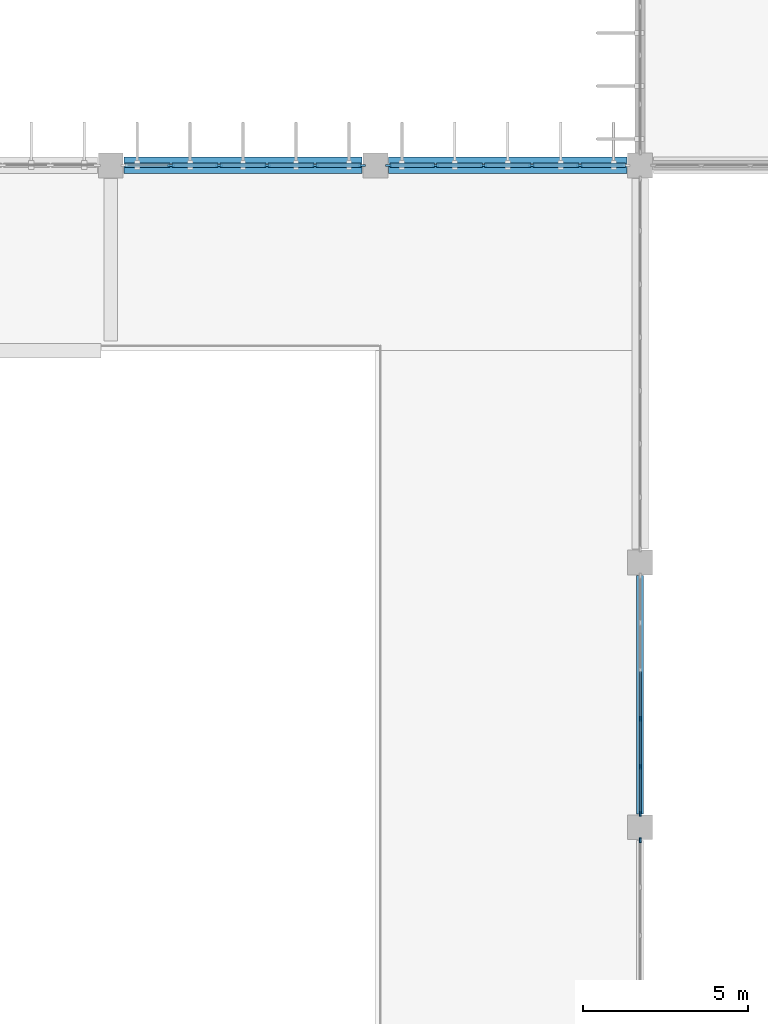
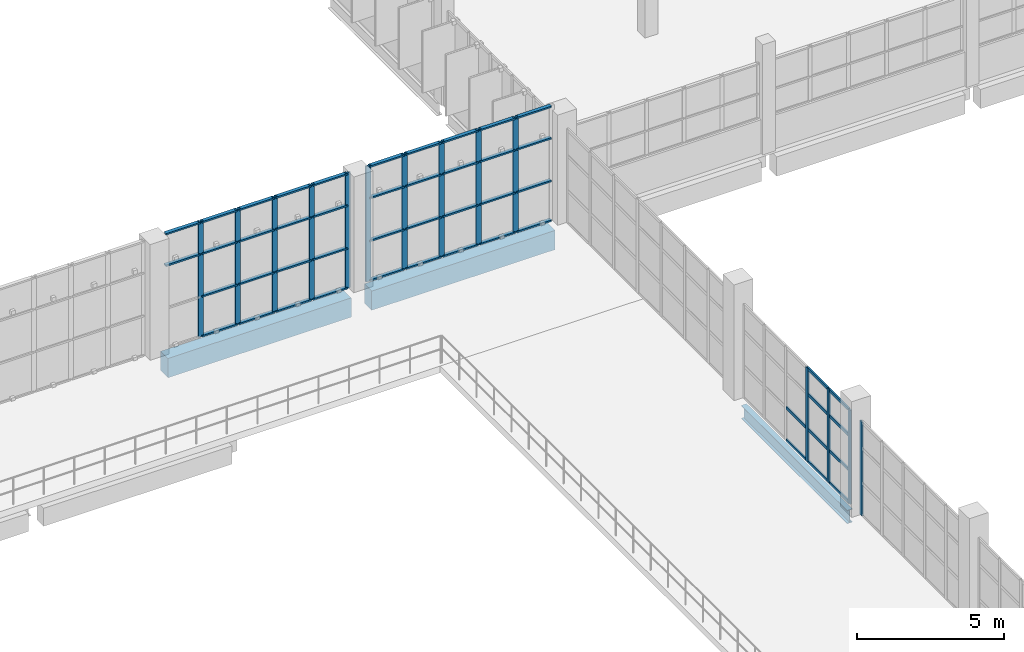
# One storey, part 30 of 93: 62 members, 3 beams, 4 elements without a shape of their own.
"""IFC4 building model written with IfcOpenShell, lengths in metres."""

from ifc_helpers import new_model, si_unit, direction, frame, origin, origin_2d, place, context, subcontext, project, spatial, rectangle, i_section, extrude, material, layer, layer_set, material_profile, profile_set, type_object, element, aggregate, save


model = new_model("IFC4")

# Units and contexts
model_context = context("Model", 3, precision=1e-05, world=origin(), true_north=direction((0.0, 1.0)))
body_context = subcontext(model_context, "Body", "Model", "MODEL_VIEW")
ifc_project = project(units=[si_unit("LENGTHUNIT", "METRE"), si_unit("AREAUNIT", "SQUARE_METRE"), si_unit("VOLUMEUNIT", "CUBIC_METRE"), si_unit("PLANEANGLEUNIT", "RADIAN"), si_unit("MASSUNIT", "GRAM", prefix="KILO")], contexts=[model_context])

# Site, building, storey
site_placement = place(None, origin())
site = spatial("IfcSite", under=ifc_project, at=site_placement, CompositionType="ELEMENT")
building_placement = place(site_placement, origin())
building = spatial("IfcBuilding", under=site, at=building_placement, Name="Drelvana Railside Aquatics Centre", CompositionType="ELEMENT")
storey_placement = place(building_placement, frame((0.0, 0.0, 5.39990234375)))
storey = spatial("IfcBuildingStorey", under=building, at=storey_placement, Name="L01", CompositionType="ELEMENT", Elevation=5.39990234375)

# Curtain wall, members
ifc_material_1 = material(Name="Bronze-anodised aluminium curtain wall", Category="aluminium")
ifc_layer_1 = layer(ifc_material_1, 0.179931640625, Name="Bronze-anodised aluminium curtain wall")
ifc_layer_set_1 = layer_set([ifc_layer_1], Name="Bronze-anodised aluminium curtain wall")
curtain_wall_type_1 = type_object("IfcCurtainWallType", Name="CW-Z2-CLER", PredefinedType="NOTDEFINED", material=ifc_layer_set_1)
curtain_wall_1_placement = place(storey_placement, origin())
curtain_wall_1 = element("IfcCurtainWall", 1, at=curtain_wall_1_placement, inside=storey, type_object=curtain_wall_type_1, Name="Curtain wall CW-02-024", PredefinedType="NOTDEFINED")
ifc_material_2 = material(Name="Bronze-anodised aluminium 6063-T6", Category="aluminium")
ifc_material_profile_1 = material_profile(ifc_material_2, rectangle(XDim=0.070068359375, YDim=0.199951171875, at=origin_2d()), Name="ALU-M 70x200")
ifc_profile_set_1 = profile_set([ifc_material_profile_1], Name="Bronze-anodised aluminium 6063-T6")
member_type_1 = type_object("IfcMemberType", Name="CW-Z2-CLER-MUL", PredefinedType="MULLION", material=ifc_profile_set_1)
member_1_placement = place(storey_placement, frame((81.8212890625, 84.0, -0.005859375), z_axis=(0.0, 0.0, 1.0), x_axis=(0.0, 1.0, 0.0)))
member_1 = element("IfcMember", 2, at=member_1_placement, type_object=member_type_1, Name="CW-02 mullion 2", PredefinedType="MULLION", context=body_context, shape_type="SweptSolid", body=[
    extrude(rectangle(XDim=0.070068359375, YDim=0.199951171875, at=origin_2d()), origin(), (0.0, 0.0, 1.0), 4.7958984375),
])
member_2_placement = place(storey_placement, frame((83.273681640625, 84.0, -0.005859375), z_axis=(0.0, 0.0, 1.0), x_axis=(0.0, 1.0, 0.0)))
member_2 = element("IfcMember", 3, at=member_2_placement, type_object=member_type_1, Name="CW-02 mullion 3", PredefinedType="MULLION", context=body_context, shape_type="SweptSolid", body=[
    extrude(rectangle(XDim=0.070068359375, YDim=0.199951171875, at=origin_2d()), origin(), (0.0, 0.0, 1.0), 4.7958984375),
])
member_3_placement = place(storey_placement, frame((84.726318359375, 84.0, -0.005859375), z_axis=(0.0, 0.0, 1.0), x_axis=(0.0, 1.0, 0.0)))
member_3 = element("IfcMember", 4, at=member_3_placement, type_object=member_type_1, Name="CW-02 mullion 4", PredefinedType="MULLION", context=body_context, shape_type="SweptSolid", body=[
    extrude(rectangle(XDim=0.070068359375, YDim=0.199951171875, at=origin_2d()), origin(), (0.0, 0.0, 1.0), 4.7958984375),
])
member_4_placement = place(storey_placement, frame((86.1787109375, 84.0, -0.005859375), z_axis=(0.0, 0.0, 1.0), x_axis=(0.0, 1.0, 0.0)))
member_4 = element("IfcMember", 5, at=member_4_placement, type_object=member_type_1, Name="CW-02 mullion 5", PredefinedType="MULLION", context=body_context, shape_type="SweptSolid", body=[
    extrude(rectangle(XDim=0.070068359375, YDim=0.199951171875, at=origin_2d()), origin(), (0.0, 0.0, 1.0), 4.7958984375),
])
member_5_placement = place(storey_placement, frame((87.595947265625, 84.0, -0.005859375), z_axis=(0.0, 0.0, 1.0), x_axis=(0.0, 1.0, 0.0)))
member_5 = element("IfcMember", 6, at=member_5_placement, type_object=member_type_1, Name="CW-02 mullion 6", PredefinedType="MULLION", context=body_context, shape_type="SweptSolid", body=[
    extrude(rectangle(XDim=0.070068359375, YDim=0.199951171875, at=origin_2d()), origin(), (0.0, 0.0, 1.0), 4.7958984375),
])

curtain_wall_2_placement = place(storey_placement, origin())
curtain_wall_2 = element("IfcCurtainWall", 7, at=curtain_wall_2_placement, inside=storey, type_object=curtain_wall_type_1, Name="Curtain wall CW-02-026", PredefinedType="NOTDEFINED")
member_6_placement = place(storey_placement, frame((88.404052734375, 84.0, -0.005859375), z_axis=(0.0, 0.0, 1.0), x_axis=(0.0, 1.0, 0.0)))
member_6 = element("IfcMember", 8, at=member_6_placement, type_object=member_type_1, Name="CW-02 mullion 1", PredefinedType="MULLION", context=body_context, shape_type="SweptSolid", body=[
    extrude(rectangle(XDim=0.070068359375, YDim=0.199951171875, at=origin_2d()), origin(), (0.0, 0.0, 1.0), 4.7958984375),
])
member_7_placement = place(storey_placement, frame((89.8212890625, 84.0, -0.005859375), z_axis=(0.0, 0.0, 1.0), x_axis=(0.0, 1.0, 0.0)))
member_7 = element("IfcMember", 9, at=member_7_placement, type_object=member_type_1, Name="CW-02 mullion 2", PredefinedType="MULLION", context=body_context, shape_type="SweptSolid", body=[
    extrude(rectangle(XDim=0.070068359375, YDim=0.199951171875, at=origin_2d()), origin(), (0.0, 0.0, 1.0), 4.7958984375),
])
member_8_placement = place(storey_placement, frame((91.273681640625, 84.0, -0.005859375), z_axis=(0.0, 0.0, 1.0), x_axis=(0.0, 1.0, 0.0)))
member_8 = element("IfcMember", 10, at=member_8_placement, type_object=member_type_1, Name="CW-02 mullion 3", PredefinedType="MULLION", context=body_context, shape_type="SweptSolid", body=[
    extrude(rectangle(XDim=0.070068359375, YDim=0.199951171875, at=origin_2d()), origin(), (0.0, 0.0, 1.0), 4.7958984375),
])
member_9_placement = place(storey_placement, frame((92.726318359375, 84.0, -0.005859375), z_axis=(0.0, 0.0, 1.0), x_axis=(0.0, 1.0, 0.0)))
member_9 = element("IfcMember", 11, at=member_9_placement, type_object=member_type_1, Name="CW-02 mullion 4", PredefinedType="MULLION", context=body_context, shape_type="SweptSolid", body=[
    extrude(rectangle(XDim=0.070068359375, YDim=0.199951171875, at=origin_2d()), origin(), (0.0, 0.0, 1.0), 4.7958984375),
])
member_10_placement = place(storey_placement, frame((94.1787109375, 84.0, -0.005859375), z_axis=(0.0, 0.0, 1.0), x_axis=(0.0, 1.0, 0.0)))
member_10 = element("IfcMember", 12, at=member_10_placement, type_object=member_type_1, Name="CW-02 mullion 5", PredefinedType="MULLION", context=body_context, shape_type="SweptSolid", body=[
    extrude(rectangle(XDim=0.070068359375, YDim=0.199951171875, at=origin_2d()), origin(), (0.0, 0.0, 1.0), 4.7958984375),
])

# Member
ifc_material_profile_2 = material_profile(ifc_material_2, rectangle(XDim=0.139892578125, YDim=0.06494140625, at=origin_2d()), Name="ALU-T 65x140")
ifc_profile_set_2 = profile_set([ifc_material_profile_2], Name="Bronze-anodised aluminium 6063-T6")
member_type_2 = type_object("IfcMemberType", Name="CW-Z2-CLER-TRN", PredefinedType="USERDEFINED", material=ifc_profile_set_2)
member_11_placement = place(storey_placement, frame((80.43408203125, 84.0, 3.447021484375), z_axis=(1.0, 0.0, 0.0), x_axis=(0.0, 1.0, 0.0)))
member_11 = element("IfcMember", 13, at=member_11_placement, type_object=member_type_2, Name="CW-02 transom 1.3", ObjectType="TRANSOM", PredefinedType="USERDEFINED", context=body_context, shape_type="SweptSolid", body=[
    extrude(rectangle(XDim=0.139892578125, YDim=0.06494140625, at=origin_2d()), origin(), (0.0, 0.0, 1.0), 1.357421875),
])

member_12_placement = place(storey_placement, frame((80.43408203125, 84.0, 4.757568359375), z_axis=(1.0, 0.0, 0.0), x_axis=(0.0, 1.0, 0.0)))
member_12 = element("IfcMember", 14, at=member_12_placement, type_object=member_type_2, Name="CW-02 transom 1.4", ObjectType="TRANSOM", PredefinedType="USERDEFINED", context=body_context, shape_type="SweptSolid", body=[
    extrude(rectangle(XDim=0.139892578125, YDim=0.06494140625, at=origin_2d()), origin(), (0.0, 0.0, 1.0), 1.357421875),
])

member_13_placement = place(storey_placement, frame((81.851318359375, 84.0, 0.026611328125), z_axis=(1.0, 0.0, 0.0), x_axis=(0.0, 1.0, 0.0)))
member_13 = element("IfcMember", 15, at=member_13_placement, type_object=member_type_2, Name="CW-02 transom 2.1", ObjectType="TRANSOM", PredefinedType="USERDEFINED", context=body_context, shape_type="SweptSolid", body=[
    extrude(rectangle(XDim=0.139892578125, YDim=0.06494140625, at=origin_2d()), origin(), (0.0, 0.0, 1.0), 1.392578125),
])

member_14_placement = place(storey_placement, frame((81.851318359375, 84.0, 1.673095703125), z_axis=(1.0, 0.0, 0.0), x_axis=(0.0, 1.0, 0.0)))
member_14 = element("IfcMember", 16, at=member_14_placement, type_object=member_type_2, Name="CW-02 transom 2.2", ObjectType="TRANSOM", PredefinedType="USERDEFINED", context=body_context, shape_type="SweptSolid", body=[
    extrude(rectangle(XDim=0.139892578125, YDim=0.06494140625, at=origin_2d()), origin(), (0.0, 0.0, 1.0), 1.392578125),
])

member_15_placement = place(storey_placement, frame((81.851318359375, 84.0, 3.447021484375), z_axis=(1.0, 0.0, 0.0), x_axis=(0.0, 1.0, 0.0)))
member_15 = element("IfcMember", 17, at=member_15_placement, type_object=member_type_2, Name="CW-02 transom 2.3", ObjectType="TRANSOM", PredefinedType="USERDEFINED", context=body_context, shape_type="SweptSolid", body=[
    extrude(rectangle(XDim=0.139892578125, YDim=0.06494140625, at=origin_2d()), origin(), (0.0, 0.0, 1.0), 1.392578125),
])

member_16_placement = place(storey_placement, frame((81.851318359375, 84.0, 4.757568359375), z_axis=(1.0, 0.0, 0.0), x_axis=(0.0, 1.0, 0.0)))
member_16 = element("IfcMember", 18, at=member_16_placement, type_object=member_type_2, Name="CW-02 transom 2.4", ObjectType="TRANSOM", PredefinedType="USERDEFINED", context=body_context, shape_type="SweptSolid", body=[
    extrude(rectangle(XDim=0.139892578125, YDim=0.06494140625, at=origin_2d()), origin(), (0.0, 0.0, 1.0), 1.392578125),
])

member_17_placement = place(storey_placement, frame((83.3037109375, 84.0, 0.026611328125), z_axis=(1.0, 0.0, 0.0), x_axis=(0.0, 1.0, 0.0)))
member_17 = element("IfcMember", 19, at=member_17_placement, type_object=member_type_2, Name="CW-02 transom 3.1", ObjectType="TRANSOM", PredefinedType="USERDEFINED", context=body_context, shape_type="SweptSolid", body=[
    extrude(rectangle(XDim=0.139892578125, YDim=0.06494140625, at=origin_2d()), origin(), (0.0, 0.0, 1.0), 1.392578125),
])

member_18_placement = place(storey_placement, frame((83.3037109375, 84.0, 1.673095703125), z_axis=(1.0, 0.0, 0.0), x_axis=(0.0, 1.0, 0.0)))
member_18 = element("IfcMember", 20, at=member_18_placement, type_object=member_type_2, Name="CW-02 transom 3.2", ObjectType="TRANSOM", PredefinedType="USERDEFINED", context=body_context, shape_type="SweptSolid", body=[
    extrude(rectangle(XDim=0.139892578125, YDim=0.06494140625, at=origin_2d()), origin(), (0.0, 0.0, 1.0), 1.392578125),
])

member_19_placement = place(storey_placement, frame((83.3037109375, 84.0, 3.447021484375), z_axis=(1.0, 0.0, 0.0), x_axis=(0.0, 1.0, 0.0)))
member_19 = element("IfcMember", 21, at=member_19_placement, type_object=member_type_2, Name="CW-02 transom 3.3", ObjectType="TRANSOM", PredefinedType="USERDEFINED", context=body_context, shape_type="SweptSolid", body=[
    extrude(rectangle(XDim=0.139892578125, YDim=0.06494140625, at=origin_2d()), origin(), (0.0, 0.0, 1.0), 1.392578125),
])

member_20_placement = place(storey_placement, frame((83.3037109375, 84.0, 4.757568359375), z_axis=(1.0, 0.0, 0.0), x_axis=(0.0, 1.0, 0.0)))
member_20 = element("IfcMember", 22, at=member_20_placement, type_object=member_type_2, Name="CW-02 transom 3.4", ObjectType="TRANSOM", PredefinedType="USERDEFINED", context=body_context, shape_type="SweptSolid", body=[
    extrude(rectangle(XDim=0.139892578125, YDim=0.06494140625, at=origin_2d()), origin(), (0.0, 0.0, 1.0), 1.392578125),
])

member_21_placement = place(storey_placement, frame((84.756103515625, 84.0, 0.026611328125), z_axis=(1.0, 0.0, 0.0), x_axis=(0.0, 1.0, 0.0)))
member_21 = element("IfcMember", 23, at=member_21_placement, type_object=member_type_2, Name="CW-02 transom 4.1", ObjectType="TRANSOM", PredefinedType="USERDEFINED", context=body_context, shape_type="SweptSolid", body=[
    extrude(rectangle(XDim=0.139892578125, YDim=0.06494140625, at=origin_2d()), origin(), (0.0, 0.0, 1.0), 1.392578125),
])

member_22_placement = place(storey_placement, frame((84.756103515625, 84.0, 1.673095703125), z_axis=(1.0, 0.0, 0.0), x_axis=(0.0, 1.0, 0.0)))
member_22 = element("IfcMember", 24, at=member_22_placement, type_object=member_type_2, Name="CW-02 transom 4.2", ObjectType="TRANSOM", PredefinedType="USERDEFINED", context=body_context, shape_type="SweptSolid", body=[
    extrude(rectangle(XDim=0.139892578125, YDim=0.06494140625, at=origin_2d()), origin(), (0.0, 0.0, 1.0), 1.392578125),
])

member_23_placement = place(storey_placement, frame((84.756103515625, 84.0, 3.447021484375), z_axis=(1.0, 0.0, 0.0), x_axis=(0.0, 1.0, 0.0)))
member_23 = element("IfcMember", 25, at=member_23_placement, type_object=member_type_2, Name="CW-02 transom 4.3", ObjectType="TRANSOM", PredefinedType="USERDEFINED", context=body_context, shape_type="SweptSolid", body=[
    extrude(rectangle(XDim=0.139892578125, YDim=0.06494140625, at=origin_2d()), origin(), (0.0, 0.0, 1.0), 1.392578125),
])

member_24_placement = place(storey_placement, frame((84.756103515625, 84.0, 4.757568359375), z_axis=(1.0, 0.0, 0.0), x_axis=(0.0, 1.0, 0.0)))
member_24 = element("IfcMember", 26, at=member_24_placement, type_object=member_type_2, Name="CW-02 transom 4.4", ObjectType="TRANSOM", PredefinedType="USERDEFINED", context=body_context, shape_type="SweptSolid", body=[
    extrude(rectangle(XDim=0.139892578125, YDim=0.06494140625, at=origin_2d()), origin(), (0.0, 0.0, 1.0), 1.392578125),
])

member_25_placement = place(storey_placement, frame((86.20849609375, 84.0, 0.026611328125), z_axis=(1.0, 0.0, 0.0), x_axis=(0.0, 1.0, 0.0)))
member_25 = element("IfcMember", 27, at=member_25_placement, type_object=member_type_2, Name="CW-02 transom 5.1", ObjectType="TRANSOM", PredefinedType="USERDEFINED", context=body_context, shape_type="SweptSolid", body=[
    extrude(rectangle(XDim=0.139892578125, YDim=0.06494140625, at=origin_2d()), origin(), (0.0, 0.0, 1.0), 1.357421875),
])

member_26_placement = place(storey_placement, frame((86.20849609375, 84.0, 1.673095703125), z_axis=(1.0, 0.0, 0.0), x_axis=(0.0, 1.0, 0.0)))
member_26 = element("IfcMember", 28, at=member_26_placement, type_object=member_type_2, Name="CW-02 transom 5.2", ObjectType="TRANSOM", PredefinedType="USERDEFINED", context=body_context, shape_type="SweptSolid", body=[
    extrude(rectangle(XDim=0.139892578125, YDim=0.06494140625, at=origin_2d()), origin(), (0.0, 0.0, 1.0), 1.357421875),
])

member_27_placement = place(storey_placement, frame((86.20849609375, 84.0, 3.447021484375), z_axis=(1.0, 0.0, 0.0), x_axis=(0.0, 1.0, 0.0)))
member_27 = element("IfcMember", 29, at=member_27_placement, type_object=member_type_2, Name="CW-02 transom 5.3", ObjectType="TRANSOM", PredefinedType="USERDEFINED", context=body_context, shape_type="SweptSolid", body=[
    extrude(rectangle(XDim=0.139892578125, YDim=0.06494140625, at=origin_2d()), origin(), (0.0, 0.0, 1.0), 1.357421875),
])

member_28_placement = place(storey_placement, frame((86.20849609375, 84.0, 4.757568359375), z_axis=(1.0, 0.0, 0.0), x_axis=(0.0, 1.0, 0.0)))
member_28 = element("IfcMember", 30, at=member_28_placement, type_object=member_type_2, Name="CW-02 transom 5.4", ObjectType="TRANSOM", PredefinedType="USERDEFINED", context=body_context, shape_type="SweptSolid", body=[
    extrude(rectangle(XDim=0.139892578125, YDim=0.06494140625, at=origin_2d()), origin(), (0.0, 0.0, 1.0), 1.357421875),
])

aggregate(curtain_wall_1, [member_1, member_2, member_3, member_4, member_5, member_11, member_12, member_13, member_14, member_15, member_16, member_17, member_18, member_19, member_20, member_21, member_22, member_23, member_24, member_25, member_26, member_27, member_28])

member_29_placement = place(storey_placement, frame((88.43408203125, 84.0, 0.026611328125), z_axis=(1.0, 0.0, 0.0), x_axis=(0.0, 1.0, 0.0)))
member_29 = element("IfcMember", 31, at=member_29_placement, type_object=member_type_2, Name="CW-02 transom 1.1", ObjectType="TRANSOM", PredefinedType="USERDEFINED", context=body_context, shape_type="SweptSolid", body=[
    extrude(rectangle(XDim=0.139892578125, YDim=0.06494140625, at=origin_2d()), origin(), (0.0, 0.0, 1.0), 1.357421875),
])

member_30_placement = place(storey_placement, frame((88.43408203125, 84.0, 1.673095703125), z_axis=(1.0, 0.0, 0.0), x_axis=(0.0, 1.0, 0.0)))
member_30 = element("IfcMember", 32, at=member_30_placement, type_object=member_type_2, Name="CW-02 transom 1.2", ObjectType="TRANSOM", PredefinedType="USERDEFINED", context=body_context, shape_type="SweptSolid", body=[
    extrude(rectangle(XDim=0.139892578125, YDim=0.06494140625, at=origin_2d()), origin(), (0.0, 0.0, 1.0), 1.357421875),
])

member_31_placement = place(storey_placement, frame((88.43408203125, 84.0, 3.447021484375), z_axis=(1.0, 0.0, 0.0), x_axis=(0.0, 1.0, 0.0)))
member_31 = element("IfcMember", 33, at=member_31_placement, type_object=member_type_2, Name="CW-02 transom 1.3", ObjectType="TRANSOM", PredefinedType="USERDEFINED", context=body_context, shape_type="SweptSolid", body=[
    extrude(rectangle(XDim=0.139892578125, YDim=0.06494140625, at=origin_2d()), origin(), (0.0, 0.0, 1.0), 1.357421875),
])

member_32_placement = place(storey_placement, frame((88.43408203125, 84.0, 4.757568359375), z_axis=(1.0, 0.0, 0.0), x_axis=(0.0, 1.0, 0.0)))
member_32 = element("IfcMember", 34, at=member_32_placement, type_object=member_type_2, Name="CW-02 transom 1.4", ObjectType="TRANSOM", PredefinedType="USERDEFINED", context=body_context, shape_type="SweptSolid", body=[
    extrude(rectangle(XDim=0.139892578125, YDim=0.06494140625, at=origin_2d()), origin(), (0.0, 0.0, 1.0), 1.357421875),
])

member_33_placement = place(storey_placement, frame((89.851318359375, 84.0, 0.026611328125), z_axis=(1.0, 0.0, 0.0), x_axis=(0.0, 1.0, 0.0)))
member_33 = element("IfcMember", 35, at=member_33_placement, type_object=member_type_2, Name="CW-02 transom 2.1", ObjectType="TRANSOM", PredefinedType="USERDEFINED", context=body_context, shape_type="SweptSolid", body=[
    extrude(rectangle(XDim=0.139892578125, YDim=0.06494140625, at=origin_2d()), origin(), (0.0, 0.0, 1.0), 1.392578125),
])

member_34_placement = place(storey_placement, frame((89.851318359375, 84.0, 1.673095703125), z_axis=(1.0, 0.0, 0.0), x_axis=(0.0, 1.0, 0.0)))
member_34 = element("IfcMember", 36, at=member_34_placement, type_object=member_type_2, Name="CW-02 transom 2.2", ObjectType="TRANSOM", PredefinedType="USERDEFINED", context=body_context, shape_type="SweptSolid", body=[
    extrude(rectangle(XDim=0.139892578125, YDim=0.06494140625, at=origin_2d()), origin(), (0.0, 0.0, 1.0), 1.392578125),
])

member_35_placement = place(storey_placement, frame((89.851318359375, 84.0, 3.447021484375), z_axis=(1.0, 0.0, 0.0), x_axis=(0.0, 1.0, 0.0)))
member_35 = element("IfcMember", 37, at=member_35_placement, type_object=member_type_2, Name="CW-02 transom 2.3", ObjectType="TRANSOM", PredefinedType="USERDEFINED", context=body_context, shape_type="SweptSolid", body=[
    extrude(rectangle(XDim=0.139892578125, YDim=0.06494140625, at=origin_2d()), origin(), (0.0, 0.0, 1.0), 1.392578125),
])

member_36_placement = place(storey_placement, frame((89.851318359375, 84.0, 4.757568359375), z_axis=(1.0, 0.0, 0.0), x_axis=(0.0, 1.0, 0.0)))
member_36 = element("IfcMember", 38, at=member_36_placement, type_object=member_type_2, Name="CW-02 transom 2.4", ObjectType="TRANSOM", PredefinedType="USERDEFINED", context=body_context, shape_type="SweptSolid", body=[
    extrude(rectangle(XDim=0.139892578125, YDim=0.06494140625, at=origin_2d()), origin(), (0.0, 0.0, 1.0), 1.392578125),
])

member_37_placement = place(storey_placement, frame((91.3037109375, 84.0, 0.026611328125), z_axis=(1.0, 0.0, 0.0), x_axis=(0.0, 1.0, 0.0)))
member_37 = element("IfcMember", 39, at=member_37_placement, type_object=member_type_2, Name="CW-02 transom 3.1", ObjectType="TRANSOM", PredefinedType="USERDEFINED", context=body_context, shape_type="SweptSolid", body=[
    extrude(rectangle(XDim=0.139892578125, YDim=0.06494140625, at=origin_2d()), origin(), (0.0, 0.0, 1.0), 1.392578125),
])

member_38_placement = place(storey_placement, frame((91.3037109375, 84.0, 1.673095703125), z_axis=(1.0, 0.0, 0.0), x_axis=(0.0, 1.0, 0.0)))
member_38 = element("IfcMember", 40, at=member_38_placement, type_object=member_type_2, Name="CW-02 transom 3.2", ObjectType="TRANSOM", PredefinedType="USERDEFINED", context=body_context, shape_type="SweptSolid", body=[
    extrude(rectangle(XDim=0.139892578125, YDim=0.06494140625, at=origin_2d()), origin(), (0.0, 0.0, 1.0), 1.392578125),
])

member_39_placement = place(storey_placement, frame((91.3037109375, 84.0, 3.447021484375), z_axis=(1.0, 0.0, 0.0), x_axis=(0.0, 1.0, 0.0)))
member_39 = element("IfcMember", 41, at=member_39_placement, type_object=member_type_2, Name="CW-02 transom 3.3", ObjectType="TRANSOM", PredefinedType="USERDEFINED", context=body_context, shape_type="SweptSolid", body=[
    extrude(rectangle(XDim=0.139892578125, YDim=0.06494140625, at=origin_2d()), origin(), (0.0, 0.0, 1.0), 1.392578125),
])

member_40_placement = place(storey_placement, frame((91.3037109375, 84.0, 4.757568359375), z_axis=(1.0, 0.0, 0.0), x_axis=(0.0, 1.0, 0.0)))
member_40 = element("IfcMember", 42, at=member_40_placement, type_object=member_type_2, Name="CW-02 transom 3.4", ObjectType="TRANSOM", PredefinedType="USERDEFINED", context=body_context, shape_type="SweptSolid", body=[
    extrude(rectangle(XDim=0.139892578125, YDim=0.06494140625, at=origin_2d()), origin(), (0.0, 0.0, 1.0), 1.392578125),
])

member_41_placement = place(storey_placement, frame((92.756103515625, 84.0, 0.026611328125), z_axis=(1.0, 0.0, 0.0), x_axis=(0.0, 1.0, 0.0)))
member_41 = element("IfcMember", 43, at=member_41_placement, type_object=member_type_2, Name="CW-02 transom 4.1", ObjectType="TRANSOM", PredefinedType="USERDEFINED", context=body_context, shape_type="SweptSolid", body=[
    extrude(rectangle(XDim=0.139892578125, YDim=0.06494140625, at=origin_2d()), origin(), (0.0, 0.0, 1.0), 1.392578125),
])

member_42_placement = place(storey_placement, frame((92.756103515625, 84.0, 1.673095703125), z_axis=(1.0, 0.0, 0.0), x_axis=(0.0, 1.0, 0.0)))
member_42 = element("IfcMember", 44, at=member_42_placement, type_object=member_type_2, Name="CW-02 transom 4.2", ObjectType="TRANSOM", PredefinedType="USERDEFINED", context=body_context, shape_type="SweptSolid", body=[
    extrude(rectangle(XDim=0.139892578125, YDim=0.06494140625, at=origin_2d()), origin(), (0.0, 0.0, 1.0), 1.392578125),
])

member_43_placement = place(storey_placement, frame((92.756103515625, 84.0, 3.447021484375), z_axis=(1.0, 0.0, 0.0), x_axis=(0.0, 1.0, 0.0)))
member_43 = element("IfcMember", 45, at=member_43_placement, type_object=member_type_2, Name="CW-02 transom 4.3", ObjectType="TRANSOM", PredefinedType="USERDEFINED", context=body_context, shape_type="SweptSolid", body=[
    extrude(rectangle(XDim=0.139892578125, YDim=0.06494140625, at=origin_2d()), origin(), (0.0, 0.0, 1.0), 1.392578125),
])

member_44_placement = place(storey_placement, frame((92.756103515625, 84.0, 4.757568359375), z_axis=(1.0, 0.0, 0.0), x_axis=(0.0, 1.0, 0.0)))
member_44 = element("IfcMember", 46, at=member_44_placement, type_object=member_type_2, Name="CW-02 transom 4.4", ObjectType="TRANSOM", PredefinedType="USERDEFINED", context=body_context, shape_type="SweptSolid", body=[
    extrude(rectangle(XDim=0.139892578125, YDim=0.06494140625, at=origin_2d()), origin(), (0.0, 0.0, 1.0), 1.392578125),
])

member_45_placement = place(storey_placement, frame((94.20849609375, 84.0, 0.026611328125), z_axis=(1.0, 0.0, 0.0), x_axis=(0.0, 1.0, 0.0)))
member_45 = element("IfcMember", 47, at=member_45_placement, type_object=member_type_2, Name="CW-02 transom 5.1", ObjectType="TRANSOM", PredefinedType="USERDEFINED", context=body_context, shape_type="SweptSolid", body=[
    extrude(rectangle(XDim=0.139892578125, YDim=0.06494140625, at=origin_2d()), origin(), (0.0, 0.0, 1.0), 1.357421875),
])

member_46_placement = place(storey_placement, frame((94.20849609375, 84.0, 1.673095703125), z_axis=(1.0, 0.0, 0.0), x_axis=(0.0, 1.0, 0.0)))
member_46 = element("IfcMember", 48, at=member_46_placement, type_object=member_type_2, Name="CW-02 transom 5.2", ObjectType="TRANSOM", PredefinedType="USERDEFINED", context=body_context, shape_type="SweptSolid", body=[
    extrude(rectangle(XDim=0.139892578125, YDim=0.06494140625, at=origin_2d()), origin(), (0.0, 0.0, 1.0), 1.357421875),
])

member_47_placement = place(storey_placement, frame((94.20849609375, 84.0, 3.447021484375), z_axis=(1.0, 0.0, 0.0), x_axis=(0.0, 1.0, 0.0)))
member_47 = element("IfcMember", 49, at=member_47_placement, type_object=member_type_2, Name="CW-02 transom 5.3", ObjectType="TRANSOM", PredefinedType="USERDEFINED", context=body_context, shape_type="SweptSolid", body=[
    extrude(rectangle(XDim=0.139892578125, YDim=0.06494140625, at=origin_2d()), origin(), (0.0, 0.0, 1.0), 1.357421875),
])

member_48_placement = place(storey_placement, frame((94.20849609375, 84.0, 4.757568359375), z_axis=(1.0, 0.0, 0.0), x_axis=(0.0, 1.0, 0.0)))
member_48 = element("IfcMember", 50, at=member_48_placement, type_object=member_type_2, Name="CW-02 transom 5.4", ObjectType="TRANSOM", PredefinedType="USERDEFINED", context=body_context, shape_type="SweptSolid", body=[
    extrude(rectangle(XDim=0.139892578125, YDim=0.06494140625, at=origin_2d()), origin(), (0.0, 0.0, 1.0), 1.357421875),
])

aggregate(curtain_wall_2, [member_6, member_7, member_8, member_9, member_10, member_29, member_30, member_31, member_32, member_33, member_34, member_35, member_36, member_37, member_38, member_39, member_40, member_41, member_42, member_43, member_44, member_45, member_46, member_47, member_48])

# Curtain wall, member
ifc_layer_2 = layer(ifc_material_1, 0.1650390625, Name="Bronze-anodised aluminium curtain wall")
ifc_layer_set_2 = layer_set([ifc_layer_2], Name="Bronze-anodised aluminium curtain wall")
curtain_wall_type_2 = type_object("IfcCurtainWallType", Name="CW-Z5-COURT", PredefinedType="NOTDEFINED", material=ifc_layer_set_2)
curtain_wall_3_placement = place(storey_placement, origin())
curtain_wall_3 = element("IfcCurtainWall", 51, at=curtain_wall_3_placement, inside=storey, type_object=curtain_wall_type_2, Name="Curtain wall CW-05-071", PredefinedType="NOTDEFINED")
ifc_material_profile_3 = material_profile(ifc_material_2, rectangle(XDim=0.06005859375, YDim=0.14990234375, at=origin_2d()), Name="ALU-M 60x150")
ifc_profile_set_3 = profile_set([ifc_material_profile_3], Name="Bronze-anodised aluminium 6063-T6")
member_type_3 = type_object("IfcMemberType", Name="CW-Z5-COURT-MUL", PredefinedType="MULLION", material=ifc_profile_set_3)
member_49_placement = place(storey_placement, frame((96.0, 63.60107421875, -0.005859375), z_axis=(0.0, 0.0, 1.0), x_axis=(-1.0, 0.0, 0.0)))
member_49 = element("IfcMember", 52, at=member_49_placement, type_object=member_type_3, Name="CW-05 mullion 6", PredefinedType="MULLION", context=body_context, shape_type="SweptSolid", body=[
    extrude(rectangle(XDim=0.06005859375, YDim=0.14990234375, at=origin_2d()), origin(), (0.0, 0.0, 1.0), 3.906005859375),
])
aggregate(curtain_wall_3, [member_49])

# Curtain wall, members
curtain_wall_4_placement = place(storey_placement, origin())
curtain_wall_4 = element("IfcCurtainWall", 53, at=curtain_wall_4_placement, inside=storey, type_object=curtain_wall_type_2, Name="Curtain wall CW-05-075", PredefinedType="NOTDEFINED")
member_50_placement = place(storey_placement, frame((96.0, 64.39892578125, -0.005859375), z_axis=(0.0, 0.0, 1.0), x_axis=(-1.0, 0.0, 0.0)))
member_50 = element("IfcMember", 54, at=member_50_placement, type_object=member_type_3, Name="CW-05 mullion 1", PredefinedType="MULLION", context=body_context, shape_type="SweptSolid", body=[
    extrude(rectangle(XDim=0.06005859375, YDim=0.14990234375, at=origin_2d()), origin(), (0.0, 0.0, 1.0), 3.906005859375),
])
member_51_placement = place(storey_placement, frame((96.0, 65.8212890625, -0.005859375), z_axis=(0.0, 0.0, 1.0), x_axis=(-1.0, 0.0, 0.0)))
member_51 = element("IfcMember", 55, at=member_51_placement, type_object=member_type_3, Name="CW-05 mullion 2", PredefinedType="MULLION", context=body_context, shape_type="SweptSolid", body=[
    extrude(rectangle(XDim=0.06005859375, YDim=0.14990234375, at=origin_2d()), origin(), (0.0, 0.0, 1.0), 3.906005859375),
])
member_52_placement = place(storey_placement, frame((96.0, 67.273681640625, -0.005859375), z_axis=(0.0, 0.0, 1.0), x_axis=(-1.0, 0.0, 0.0)))
member_52 = element("IfcMember", 56, at=member_52_placement, type_object=member_type_3, Name="CW-05 mullion 3", PredefinedType="MULLION", context=body_context, shape_type="SweptSolid", body=[
    extrude(rectangle(XDim=0.06005859375, YDim=0.14990234375, at=origin_2d()), origin(), (0.0, 0.0, 1.0), 3.906005859375),
])
ifc_material_profile_4 = material_profile(ifc_material_2, rectangle(XDim=0.1201171875, YDim=0.06005859375, at=origin_2d()), Name="ALU-T 60x120")
ifc_profile_set_4 = profile_set([ifc_material_profile_4], Name="Bronze-anodised aluminium 6063-T6")
member_type_4 = type_object("IfcMemberType", Name="CW-Z5-COURT-TRN", PredefinedType="USERDEFINED", material=ifc_profile_set_4)
member_53_placement = place(storey_placement, frame((96.0, 64.424072265625, 0.024169921875), z_axis=(0.0, 1.0, 0.0), x_axis=(0.0, 0.0, 1.0)))
member_53 = element("IfcMember", 57, at=member_53_placement, type_object=member_type_4, Name="CW-05 transom 1.1", ObjectType="TRANSOM", PredefinedType="USERDEFINED", context=body_context, shape_type="SweptSolid", body=[
    extrude(rectangle(XDim=0.1201171875, YDim=0.06005859375, at=origin_2d()), origin(), (0.0, 0.0, 1.0), 1.372314453125),
])
member_54_placement = place(storey_placement, frame((96.0, 64.424072265625, 1.361083984375), z_axis=(0.0, 1.0, 0.0), x_axis=(0.0, 0.0, 1.0)))
member_54 = element("IfcMember", 58, at=member_54_placement, type_object=member_type_4, Name="CW-05 transom 1.2", ObjectType="TRANSOM", PredefinedType="USERDEFINED", context=body_context, shape_type="SweptSolid", body=[
    extrude(rectangle(XDim=0.1201171875, YDim=0.06005859375, at=origin_2d()), origin(), (0.0, 0.0, 1.0), 1.372314453125),
])
member_55_placement = place(storey_placement, frame((96.0, 64.424072265625, 2.80615234375), z_axis=(0.0, 1.0, 0.0), x_axis=(0.0, 0.0, 1.0)))
member_55 = element("IfcMember", 59, at=member_55_placement, type_object=member_type_4, Name="CW-05 transom 1.3", ObjectType="TRANSOM", PredefinedType="USERDEFINED", context=body_context, shape_type="SweptSolid", body=[
    extrude(rectangle(XDim=0.1201171875, YDim=0.06005859375, at=origin_2d()), origin(), (0.0, 0.0, 1.0), 1.372314453125),
])
member_56_placement = place(storey_placement, frame((96.0, 64.424072265625, 3.8701171875), z_axis=(0.0, 1.0, 0.0), x_axis=(0.0, 0.0, 1.0)))
member_56 = element("IfcMember", 60, at=member_56_placement, type_object=member_type_4, Name="CW-05 transom 1.4", ObjectType="TRANSOM", PredefinedType="USERDEFINED", context=body_context, shape_type="SweptSolid", body=[
    extrude(rectangle(XDim=0.1201171875, YDim=0.06005859375, at=origin_2d()), origin(), (0.0, 0.0, 1.0), 1.372314453125),
])
member_57_placement = place(storey_placement, frame((96.0, 65.846435546875, 0.024169921875), z_axis=(0.0, 1.0, 0.0), x_axis=(0.0, 0.0, 1.0)))
member_57 = element("IfcMember", 61, at=member_57_placement, type_object=member_type_4, Name="CW-05 transom 2.1", ObjectType="TRANSOM", PredefinedType="USERDEFINED", context=body_context, shape_type="SweptSolid", body=[
    extrude(rectangle(XDim=0.1201171875, YDim=0.06005859375, at=origin_2d()), origin(), (0.0, 0.0, 1.0), 1.40234375),
])
member_58_placement = place(storey_placement, frame((96.0, 65.846435546875, 1.361083984375), z_axis=(0.0, 1.0, 0.0), x_axis=(0.0, 0.0, 1.0)))
member_58 = element("IfcMember", 62, at=member_58_placement, type_object=member_type_4, Name="CW-05 transom 2.2", ObjectType="TRANSOM", PredefinedType="USERDEFINED", context=body_context, shape_type="SweptSolid", body=[
    extrude(rectangle(XDim=0.1201171875, YDim=0.06005859375, at=origin_2d()), origin(), (0.0, 0.0, 1.0), 1.40234375),
])
member_59_placement = place(storey_placement, frame((96.0, 65.846435546875, 2.80615234375), z_axis=(0.0, 1.0, 0.0), x_axis=(0.0, 0.0, 1.0)))
member_59 = element("IfcMember", 63, at=member_59_placement, type_object=member_type_4, Name="CW-05 transom 2.3", ObjectType="TRANSOM", PredefinedType="USERDEFINED", context=body_context, shape_type="SweptSolid", body=[
    extrude(rectangle(XDim=0.1201171875, YDim=0.06005859375, at=origin_2d()), origin(), (0.0, 0.0, 1.0), 1.40234375),
])
member_60_placement = place(storey_placement, frame((96.0, 65.846435546875, 3.8701171875), z_axis=(0.0, 1.0, 0.0), x_axis=(0.0, 0.0, 1.0)))
member_60 = element("IfcMember", 64, at=member_60_placement, type_object=member_type_4, Name="CW-05 transom 2.4", ObjectType="TRANSOM", PredefinedType="USERDEFINED", context=body_context, shape_type="SweptSolid", body=[
    extrude(rectangle(XDim=0.1201171875, YDim=0.06005859375, at=origin_2d()), origin(), (0.0, 0.0, 1.0), 1.40234375),
])
member_61_placement = place(storey_placement, frame((96.0, 67.298828125, 0.024169921875), z_axis=(0.0, 1.0, 0.0), x_axis=(0.0, 0.0, 1.0)))
member_61 = element("IfcMember", 65, at=member_61_placement, type_object=member_type_4, Name="CW-05 transom 3.1", ObjectType="TRANSOM", PredefinedType="USERDEFINED", context=body_context, shape_type="SweptSolid", body=[
    extrude(rectangle(XDim=0.1201171875, YDim=0.06005859375, at=origin_2d()), origin(), (0.0, 0.0, 1.0), 1.40234375),
])
member_62_placement = place(storey_placement, frame((96.0, 67.298828125, 1.361083984375), z_axis=(0.0, 1.0, 0.0), x_axis=(0.0, 0.0, 1.0)))
member_62 = element("IfcMember", 66, at=member_62_placement, type_object=member_type_4, Name="CW-05 transom 3.2", ObjectType="TRANSOM", PredefinedType="USERDEFINED", context=body_context, shape_type="SweptSolid", body=[
    extrude(rectangle(XDim=0.1201171875, YDim=0.06005859375, at=origin_2d()), origin(), (0.0, 0.0, 1.0), 1.40234375),
])
aggregate(curtain_wall_4, [member_50, member_51, member_52, member_53, member_54, member_55, member_56, member_57, member_58, member_59, member_60, member_61, member_62])

# Beams
ifc_material_3 = material(Name="Concrete C40/50", Category="concrete")
ifc_material_profile_5 = material_profile(ifc_material_3, rectangle(XDim=0.5, YDim=0.800048828125, at=origin_2d()), Name="RC 500x800")
ifc_profile_set_5 = profile_set([ifc_material_profile_5], Name="Concrete C40/50")
beam_type_1 = type_object("IfcBeamType", Name="STR-BM-BM-06-RC-500x800", PredefinedType="SPANDREL", material=ifc_profile_set_5)
for number, where, z_axis, x_axis, name in (
    (67, (80.39990234375, 84.0, -0.6748046875), (1.0, 0.0, 0.0), (0.0, 1.0, 0.0), "Girder BM-06 (L01)"),
    (68, (88.39990234375, 84.0, -0.6748046875), (1.0, 0.0, 0.0), (0.0, 1.0, 0.0), "Girder BM-06 (L01)"),
):
    element("IfcBeam", number, at=place(storey_placement, frame(where, z_axis=z_axis, x_axis=x_axis)), inside=storey, type_object=beam_type_1, Name=name, PredefinedType="SPANDREL", context=body_context, shape_type="SweptSolid", body=[
        extrude(rectangle(XDim=0.5, YDim=0.800048828125, at=origin_2d()), origin(), (0.0, 0.0, 1.0), 7.2001953125),
    ])
ifc_material_4 = material(Name="Structural steel S355", Category="steel")
ifc_material_profile_6 = material_profile(ifc_material_4, i_section(OverallWidth=0.2099609375, OverallDepth=0.550048828125, WebThickness=0.010986328125, FlangeThickness=0.01708984375, at=origin_2d()), Name="IPE 550")
ifc_profile_set_6 = profile_set([ifc_material_profile_6], Name="Structural steel S355")
beam_type_2 = type_object("IfcBeamType", Name="STR-SBM-SB-04-IPE-550", PredefinedType="SPANDREL", material=ifc_profile_set_6)
beam_placement = place(storey_placement, frame((96.0, 64.39990234375, -0.5498046875), z_axis=(0.0, 1.0, 0.0), x_axis=(-1.0, 0.0, 0.0)))
element("IfcBeam", 69, at=beam_placement, inside=storey, type_object=beam_type_2, Name="Girder SB-04 (L01)", PredefinedType="SPANDREL", context=body_context, shape_type="SweptSolid", body=[
    extrude(i_section(OverallWidth=0.2099609375, OverallDepth=0.550048828125, WebThickness=0.010986328125, FlangeThickness=0.01708984375, at=origin_2d()), origin(), (0.0, 0.0, 1.0), 7.2001953125),
])

save(model, "model.ifc")
